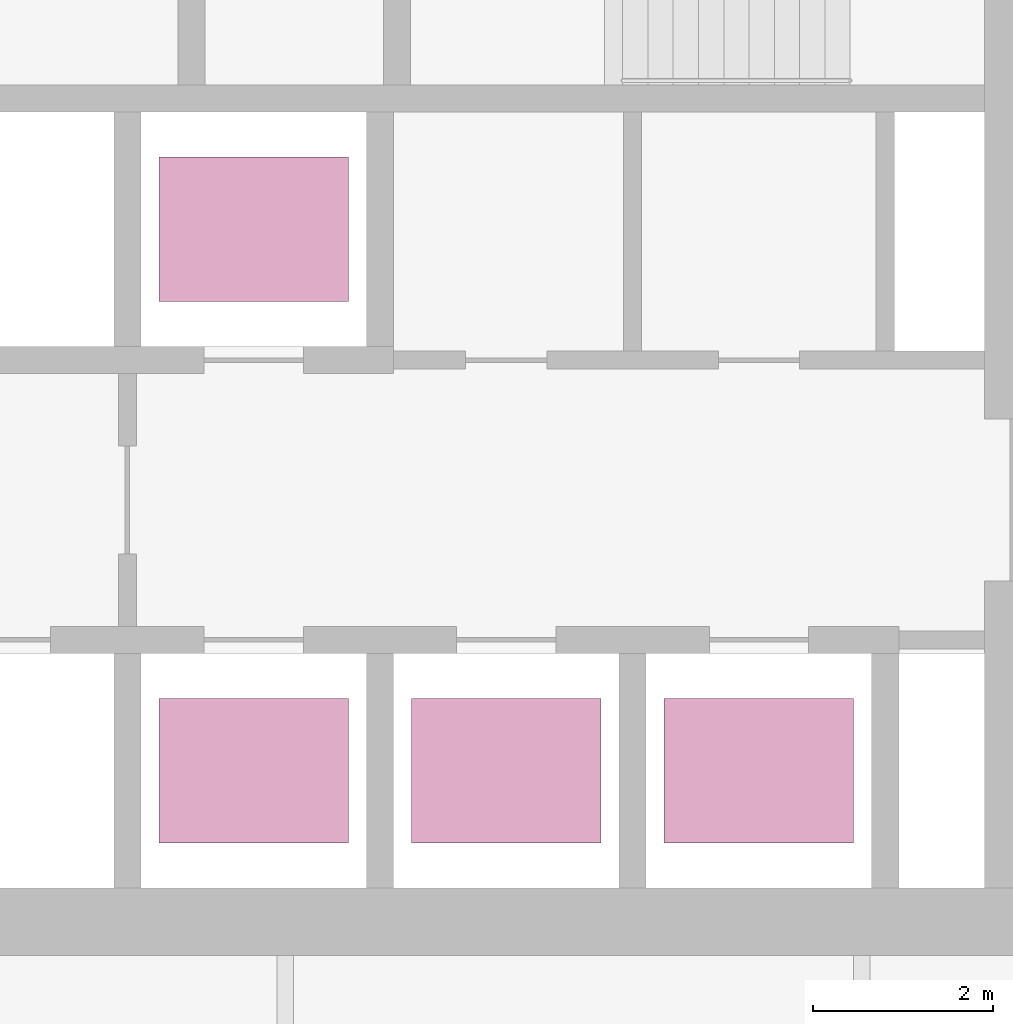
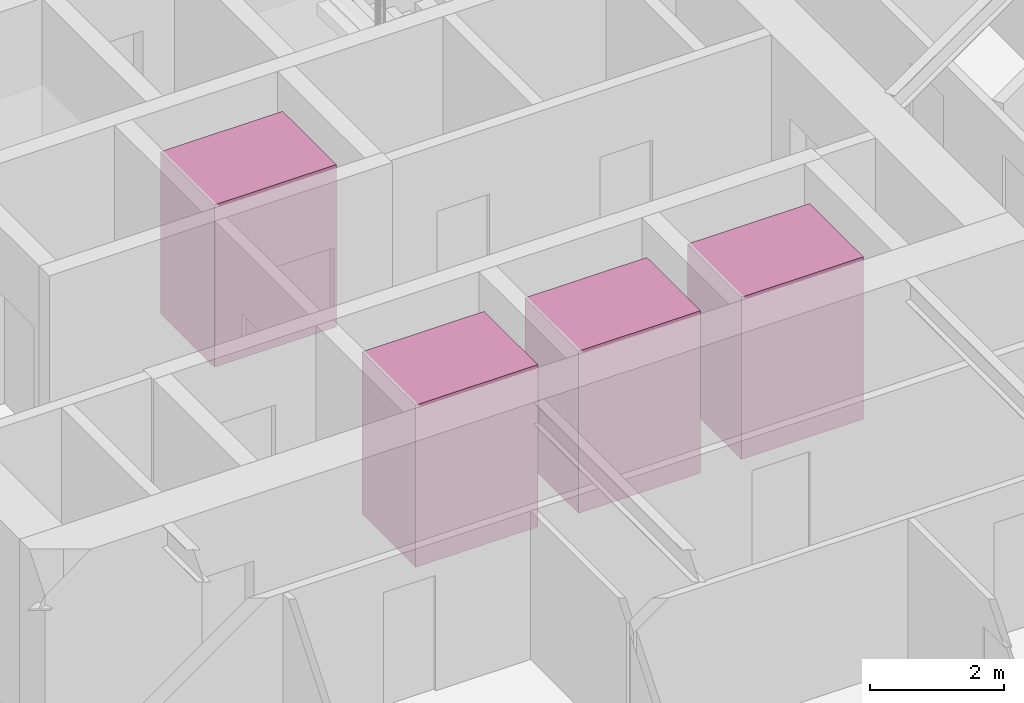
# One storey, part 26 of 26: 4 transport elements.
"""IFC4 building model written with IfcOpenShell, lengths in metres."""

from ifc_helpers import new_model, si_unit, direction, frame, origin, origin_2d, place, context, subcontext, project, spatial, rectangle, extrude, material, type_object, element, save


model = new_model("IFC4")

# Units and contexts
model_context = context("Model", 3, precision=1e-05, world=origin(), true_north=direction((0.0, 1.0)))
body_context = subcontext(model_context, "Body", "Model", "MODEL_VIEW")
ifc_project = project(units=[si_unit("LENGTHUNIT", "METRE"), si_unit("AREAUNIT", "SQUARE_METRE"), si_unit("VOLUMEUNIT", "CUBIC_METRE"), si_unit("PLANEANGLEUNIT", "RADIAN"), si_unit("MASSUNIT", "GRAM", prefix="KILO")], contexts=[model_context])

# Site, building, storey
site_placement = place(None, origin())
site = spatial("IfcSite", under=ifc_project, at=site_placement, CompositionType="ELEMENT")
building_placement = place(site_placement, origin())
building = spatial("IfcBuilding", under=site, at=building_placement, Name="Firuza Gate Tower and Library", CompositionType="ELEMENT")
storey_placement = place(building_placement, frame((0.0, 0.0, 288.10009765625)))
storey = spatial("IfcBuildingStorey", under=building, at=storey_placement, Name="L69", CompositionType="ELEMENT", Elevation=288.10009765625)

# Transport elements
ifc_material = material(Name="Stainless steel and glass", Category="steel")
transport_element_type = type_object("IfcTransportElementType", Name="High-rise lift car 2100x1600", PredefinedType="ELEVATOR", material=ifc_material)
for number, where, z_axis, x_axis, name in (
    (1, (74.64990234375, 70.300048828125, 0.0), (0.0, 0.0, 1.0), (1.0, 0.0, 0.0), "High-rise lift HR1"),
    (2, (77.449951171875, 70.300048828125, 0.0), (0.0, 0.0, 1.0), (1.0, 0.0, 0.0), "High-rise lift HR2"),
    (3, (80.25, 70.300048828125, 0.0), (0.0, 0.0, 1.0), (1.0, 0.0, 0.0), "High-rise lift HR3"),
    (4, (74.64990234375, 76.300048828125, 0.0), (0.0, 0.0, 1.0), (1.0, 0.0, 0.0), "High-rise lift HR4"),
):
    element("IfcTransportElement", number, at=place(storey_placement, frame(where, z_axis=z_axis, x_axis=x_axis)), inside=storey, type_object=transport_element_type, Name=name, PredefinedType="ELEVATOR", context=body_context, shape_type="SweptSolid", body=[
        extrude(rectangle(XDim=2.10009765625, YDim=1.60009765625, at=origin_2d()), origin(), (0.0, 0.0, 1.0), 2.949951171875),
    ])

save(model, "model.ifc")
